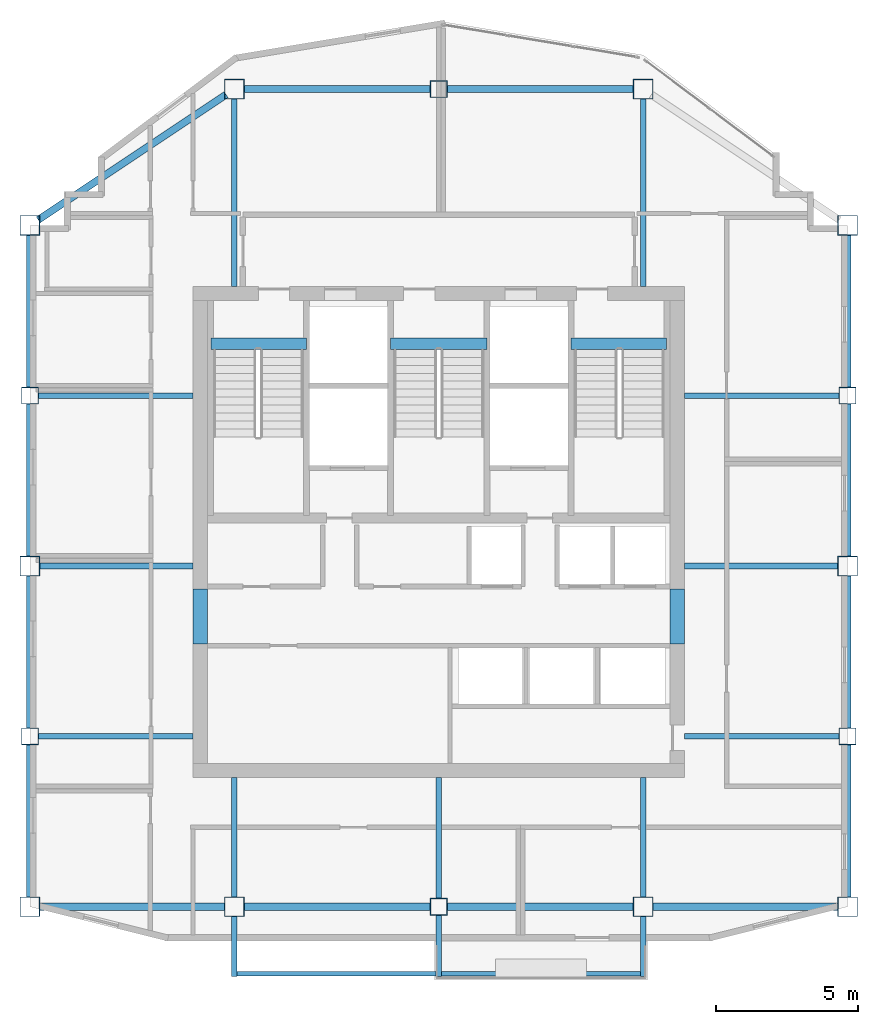
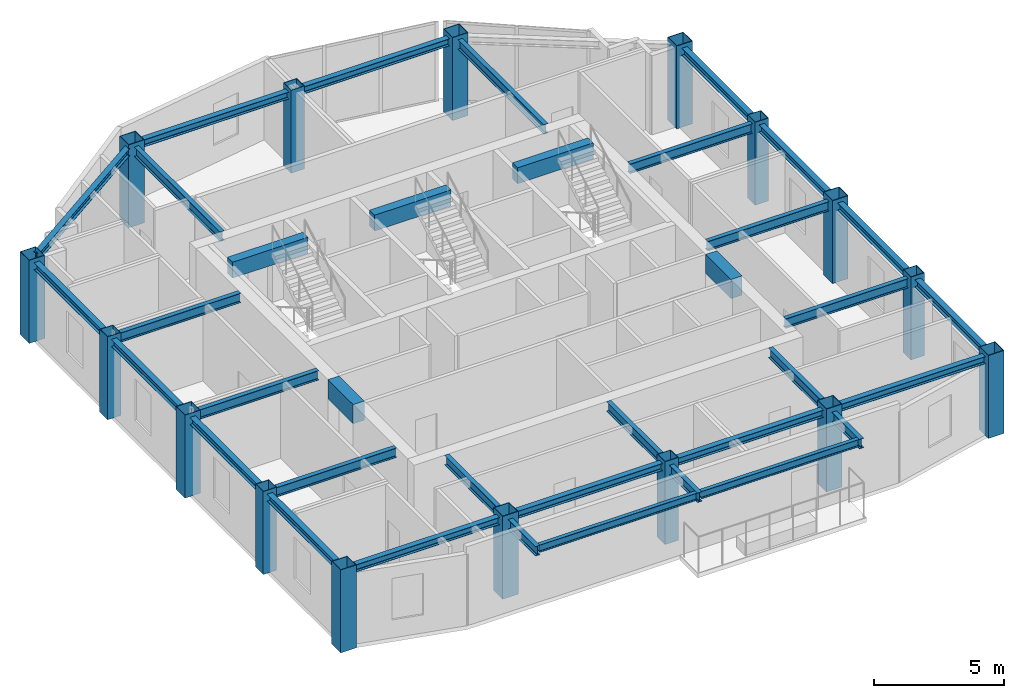
# One storey, part 1 of 8: 36 beams, 16 columns.
"""IFC4 building model written with IfcOpenShell, lengths in metres."""

import ifcopenshell
import ifcopenshell.guid

model = None  # the IFC model being written
_history = None  # IfcOwnerHistory: only IFC2X3 demands one
_inside = {}  # id of a spatial element -> (the spatial element, [elements in it])
_under = {}  # id of a project, library or spatial element -> (it, [spatial elements below it])
_declared = {}  # id of a project -> (the project, [libraries it declares])
_typed = {}  # id of a type object -> (the type object, [elements of that type])
_made_of = {}  # id of a material, layer set ... -> (it, [elements and type objects made of it])


def new_model(schema):
    """Start an empty IFC model of exactly this schema.

    Asked for "IFC4X3", IfcOpenShell would pick the latest addendum, in which some entities
    have other attributes; the version numbers below select the first issue.
    IFC2X3 requires an IfcOwnerHistory on every rooted entity: one is made here for all.
    """
    global model, _history
    if schema == "IFC4X3":
        model = ifcopenshell.file(schema_version=(4, 3, 0, 0))
    else:
        model = ifcopenshell.file(schema=schema)
    _inside.clear()
    _under.clear()
    _declared.clear()
    _typed.clear()
    _made_of.clear()
    _history = None
    if model.schema == "IFC2X3":
        org = make("IfcOrganization", Name="unknown")
        user = make(
            "IfcPersonAndOrganization",
            ThePerson=make("IfcPerson", FamilyName="unknown"),
            TheOrganization=org,
        )
        app = make(
            "IfcApplication",
            ApplicationDeveloper=org,
            Version="unknown",
            ApplicationFullName="unknown",
            ApplicationIdentifier="unknown",
        )
        _history = make(
            "IfcOwnerHistory",
            OwningUser=user,
            OwningApplication=app,
            ChangeAction="ADDED",
            CreationDate=0,
        )
    return model


def make(cls, **values):
    """One entity of the class cls with the attributes given. An attribute that is None is left unset."""
    return model.create_entity(
        cls, **{name: value for name, value in values.items() if value is not None}
    )


def rooted(cls, **values):
    """An entity with a GlobalId (a new one), such as an element, a storey or a relation."""
    return make(cls, GlobalId=ifcopenshell.guid.new(), OwnerHistory=_history, **values)


def si_unit(unit_type, name, prefix=None):
    """IfcSIUnit, for example si_unit("LENGTHUNIT", "METRE", prefix="MILLI")."""
    return make("IfcSIUnit", UnitType=unit_type, Prefix=prefix, Name=name)


def assignment(units):
    """IfcUnitAssignment: the units of a project."""
    return None if units is None else make("IfcUnitAssignment", Units=units)


def point(xyz):
    """IfcCartesianPoint."""
    return None if xyz is None else make("IfcCartesianPoint", Coordinates=xyz)


def direction(xyz):
    """IfcDirection."""
    return None if xyz is None else make("IfcDirection", DirectionRatios=xyz)


def frame(location, z_axis=None, x_axis=None):
    """IfcAxis2Placement3D, a coordinate frame: its origin and axes. An axis left out is left unset."""
    return make(
        "IfcAxis2Placement3D",
        Location=point(location),
        Axis=direction(z_axis),
        RefDirection=direction(x_axis),
    )


def frame_2d(location, x_axis=None):
    """IfcAxis2Placement2D, a coordinate frame in the plane: its origin and x axis."""
    return make(
        "IfcAxis2Placement2D", Location=point(location), RefDirection=direction(x_axis)
    )


def origin():
    """The frame at (0, 0, 0) with its axes left unset."""
    return frame((0.0, 0.0, 0.0))


def origin_2d():
    """The frame at (0, 0) in the plane with its x axis left unset."""
    return frame_2d((0.0, 0.0))


def place(relative_to, where):
    """IfcLocalPlacement: puts the frame where relative to a parent placement (None: the world)."""
    return make(
        "IfcLocalPlacement", PlacementRelTo=relative_to, RelativePlacement=where
    )


def context(
    kind, dimensions, precision=None, world=None, true_north=None, identifier=None
):
    """IfcGeometricRepresentationContext, for example the 3D "Model" context."""
    return make(
        "IfcGeometricRepresentationContext",
        ContextIdentifier=identifier,
        ContextType=kind,
        CoordinateSpaceDimension=dimensions,
        Precision=precision,
        WorldCoordinateSystem=world,
        TrueNorth=true_north,
    )


def subcontext(parent, identifier, kind, view, scale=None):
    """IfcGeometricRepresentationSubContext, for example "Body" below "Model"."""
    return make(
        "IfcGeometricRepresentationSubContext",
        ContextIdentifier=identifier,
        ContextType=kind,
        ParentContext=parent,
        TargetScale=scale,
        TargetView=view,
    )


def project(units=None, contexts=None):
    """IfcProject with its units and contexts."""
    return rooted(
        "IfcProject",
        Name="project",
        RepresentationContexts=contexts,
        UnitsInContext=assignment(units),
    )


def spatial(cls, under=None, at=None, **own):
    """A site, building, storey or space (cls), placed at a placement, below another one or the project."""
    s = rooted(cls, ObjectPlacement=at, **own)
    if under is not None:
        _under.setdefault(under.id(), (under, []))[1].append(s)
    return s


def profile(cls, at=None, kind="AREA", **sizes):
    """A parametric profile (cls). Its sizes go by their IFC names, for example OverallWidth=200.0."""
    return make(cls, ProfileType=kind, Position=at, **sizes)


def rectangle(**sizes):
    """IfcRectangleProfileDef."""
    return profile("IfcRectangleProfileDef", **sizes)


def hollow_rectangle(**sizes):
    """IfcRectangleHollowProfileDef."""
    return profile("IfcRectangleHollowProfileDef", **sizes)


def i_section(**sizes):
    """IfcIShapeProfileDef."""
    return profile("IfcIShapeProfileDef", **sizes)


def extrude(swept, where, along, depth):
    """IfcExtrudedAreaSolid: the profile swept, set in the frame where, extruded along a direction by depth."""
    return make(
        "IfcExtrudedAreaSolid",
        SweptArea=swept,
        Position=where,
        ExtrudedDirection=direction(along),
        Depth=depth,
    )


def shape(context_of_items, identifier, shape_type, items):
    """IfcShapeRepresentation: the items that make up one representation, for example the "Body"."""
    return make(
        "IfcShapeRepresentation",
        ContextOfItems=context_of_items,
        RepresentationIdentifier=identifier,
        RepresentationType=shape_type,
        Items=items,
    )


def material(Name=None, Category=None):
    """IfcMaterial."""
    return make("IfcMaterial", Name=Name, Category=Category)


def material_profile(
    of_material, cross_section, Name=None, Category=None, Priority=None
):
    """IfcMaterialProfile: a cross section and its material."""
    return make(
        "IfcMaterialProfile",
        Name=Name,
        Material=of_material,
        Profile=cross_section,
        Priority=Priority,
        Category=Category,
    )


def profile_set(profiles, Name=None, composite=None):
    """IfcMaterialProfileSet."""
    return make(
        "IfcMaterialProfileSet",
        Name=Name,
        MaterialProfiles=profiles,
        CompositeProfile=composite,
    )


def made_of(thing, what):
    """Note that an element or type object is made of a material, layer set ...; save() writes the relation."""
    if what is not None:
        _made_of.setdefault(what.id(), (what, []))[1].append(thing)
    return thing


def type_object(cls, material=None, **own):
    """A type object (cls), such as IfcWallType, which elements share."""
    return made_of(rooted(cls, **own), material)


def element(
    cls,
    number,
    at=None,
    inside=None,
    cuts=None,
    type_object=None,
    material=None,
    context=None,
    identifier="Body",
    shape_type=None,
    held_by="IfcProductDefinitionShape",
    body=None,
    shapes=None,
    **own,
):
    """One element of the class cls, such as IfcWall. Its Tag is "e" and its number.

    at: its placement. inside: the storey or other place that contains it. cuts: it is an
    opening in that element (IfcRelVoidsElement). A single representation is given by context,
    identifier, shape_type and body (its items); several are given by shapes. held_by: the class
    of the entity that holds the representations. save() writes the other relations.
    """
    e = rooted(cls, Tag="e%d" % number, ObjectPlacement=at, **own)
    if body is not None:
        shapes = [shape(context, identifier, shape_type, body)]
    if shapes is not None:
        e.Representation = make(held_by, Representations=shapes)
    if inside is not None:
        _inside.setdefault(inside.id(), (inside, []))[1].append(e)
    if cuts is not None:
        rooted(
            "IfcRelVoidsElement", RelatingBuildingElement=cuts, RelatedOpeningElement=e
        )
    if type_object is not None:
        _typed.setdefault(type_object.id(), (type_object, []))[1].append(e)
    return made_of(e, material)


def aggregate(whole, parts):
    """IfcRelAggregates: a whole, such as a stair, and the parts it consists of."""
    return rooted("IfcRelAggregates", RelatingObject=whole, RelatedObjects=parts)


def save(model, path):
    """Write the relations noted so far, then the file.

    IfcRelAggregates (storeys below a building ...), IfcRelContainedInSpatialStructure (elements
    in a storey), IfcRelDefinesByType, IfcRelAssociatesMaterial and IfcRelDeclares: one each for
    every whole, place, type object, material and project.
    """
    for whole, parts in _under.values():
        aggregate(whole, parts)
    for where, things in _inside.values():
        rooted(
            "IfcRelContainedInSpatialStructure",
            RelatedElements=things,
            RelatingStructure=where,
        )
    for kind, things in _typed.values():
        rooted("IfcRelDefinesByType", RelatedObjects=things, RelatingType=kind)
    for what, things in _made_of.values():
        rooted("IfcRelAssociatesMaterial", RelatedObjects=things, RelatingMaterial=what)
    for by, libraries in _declared.values():
        rooted("IfcRelDeclares", RelatingContext=by, RelatedDefinitions=libraries)
    model.write(path)


model = new_model("IFC4")

# Units and contexts
model_context = context("Model", 3, precision=1e-05, world=origin(), true_north=direction((0.0, 1.0)))
body_context = subcontext(model_context, "Body", "Model", "MODEL_VIEW")
ifc_project = project(units=[si_unit("LENGTHUNIT", "METRE"), si_unit("AREAUNIT", "SQUARE_METRE"), si_unit("VOLUMEUNIT", "CUBIC_METRE"), si_unit("PLANEANGLEUNIT", "RADIAN"), si_unit("MASSUNIT", "GRAM", prefix="KILO")], contexts=[model_context])

# Site, building, storey
site_placement = place(None, origin())
site = spatial("IfcSite", under=ifc_project, at=site_placement, CompositionType="ELEMENT")
building_placement = place(site_placement, origin())
building = spatial("IfcBuilding", under=site, at=building_placement, Name="Haolan Belvedere Tower", CompositionType="ELEMENT")
storey_placement = place(building_placement, frame((0.0, 0.0, 305.60009765625)))
storey = spatial("IfcBuildingStorey", under=building, at=storey_placement, Name="L77", CompositionType="ELEMENT", Elevation=305.60009765625)

# Columns
ifc_material_1 = material(Name="Steel Q390GJC", Category="steel")
ifc_material_profile_1 = material_profile(ifc_material_1, hollow_rectangle(XDim=0.60009765625, YDim=0.60009765625, WallThickness=0.02392578125, at=origin_2d()), Name="Steel Q390GJC")
ifc_profile_set_1 = profile_set([ifc_material_profile_1], Name="Steel Q390GJC")
column_type_1 = type_object("IfcColumnType", Name="COL-BOX600x600x24", PredefinedType="COLUMN", material=ifc_profile_set_1)
for number, where, z_axis, x_axis, name in (
    (1, (24.0, 27.60009765625, 0.0), (0.0, 0.0, 1.0), (1.0, 0.0, 0.0), "L77 column TC-T3-W1 (BOX600x600x24)"),
    (2, (24.0, 39.60009765625, 0.0), (0.0, 0.0, 1.0), (1.0, 0.0, 0.0), "L77 column TC-T3-W2 (BOX600x600x24)"),
    (3, (52.800048828125, 27.60009765625, 0.0), (0.0, 0.0, 1.0), (1.0, 0.0, 0.0), "L77 column TC-T3-E1 (BOX600x600x24)"),
    (4, (52.800048828125, 39.60009765625, 0.0), (0.0, 0.0, 1.0), (1.0, 0.0, 0.0), "L77 column TC-T3-E2 (BOX600x600x24)"),
    (5, (38.39990234375, 21.60009765625, 0.0), (0.0, 0.0, 1.0), (1.0, 0.0, 0.0), "L77 column TC-T3-SM (BOX600x600x24)"),
    (6, (38.39990234375, 50.39990234375, 0.0), (0.0, 0.0, 1.0), (1.0, 0.0, 0.0), "L77 column TC-T3-NM (BOX600x600x24)"),
):
    element("IfcColumn", number, at=place(storey_placement, frame(where, z_axis=z_axis, x_axis=x_axis)), inside=storey, type_object=column_type_1, Name=name, PredefinedType="COLUMN", context=body_context, shape_type="SweptSolid", body=[
        extrude(hollow_rectangle(XDim=0.60009765625, YDim=0.60009765625, WallThickness=0.02392578125, at=origin_2d()), origin(), (0.0, 0.0, 1.0), 3.89990234375),
    ])
ifc_material_profile_2 = material_profile(ifc_material_1, hollow_rectangle(XDim=0.699951171875, YDim=0.699951171875, WallThickness=0.02587890625, at=origin_2d()), Name="Steel Q390GJC")
ifc_profile_set_2 = profile_set([ifc_material_profile_2], Name="Steel Q390GJC")
column_type_2 = type_object("IfcColumnType", Name="COL-BOX700x700x26", PredefinedType="COLUMN", material=ifc_profile_set_2)
for number, where, z_axis, x_axis, name in (
    (7, (24.0, 21.60009765625, 0.0), (0.0, 0.0, 1.0), (1.0, 0.0, 0.0), "L77 column MC-T3-SW (BOX700x700x26)"),
    (8, (24.0, 33.60009765625, 0.0), (0.0, 0.0, 1.0), (1.0, 0.0, 0.0), "L77 column MC-T3-MW (BOX700x700x26)"),
    (9, (24.0, 45.60009765625, 0.0), (0.0, 0.0, 1.0), (1.0, 0.0, 0.0), "L77 column MC-T3-NW (BOX700x700x26)"),
    (10, (52.800048828125, 21.60009765625, 0.0), (0.0, 0.0, 1.0), (1.0, 0.0, 0.0), "L77 column MC-T3-SE (BOX700x700x26)"),
    (11, (52.800048828125, 33.60009765625, 0.0), (0.0, 0.0, 1.0), (1.0, 0.0, 0.0), "L77 column MC-T3-ME (BOX700x700x26)"),
    (12, (52.800048828125, 45.60009765625, 0.0), (0.0, 0.0, 1.0), (1.0, 0.0, 0.0), "L77 column MC-T3-NE (BOX700x700x26)"),
    (13, (31.199951171875, 21.60009765625, 0.0), (0.0, 0.0, 1.0), (1.0, 0.0, 0.0), "L77 column MC-T3-S1 (BOX700x700x26)"),
    (14, (45.60009765625, 21.60009765625, 0.0), (0.0, 0.0, 1.0), (1.0, 0.0, 0.0), "L77 column MC-T3-S2 (BOX700x700x26)"),
    (15, (31.199951171875, 50.39990234375, 0.0), (0.0, 0.0, 1.0), (1.0, 0.0, 0.0), "L77 column MC-T3-N1 (BOX700x700x26)"),
    (16, (45.60009765625, 50.39990234375, 0.0), (0.0, 0.0, 1.0), (1.0, 0.0, 0.0), "L77 column MC-T3-N2 (BOX700x700x26)"),
):
    element("IfcColumn", number, at=place(storey_placement, frame(where, z_axis=z_axis, x_axis=x_axis)), inside=storey, type_object=column_type_2, Name=name, PredefinedType="COLUMN", context=body_context, shape_type="SweptSolid", body=[
        extrude(hollow_rectangle(XDim=0.699951171875, YDim=0.699951171875, WallThickness=0.02587890625, at=origin_2d()), origin(), (0.0, 0.0, 1.0), 3.89990234375),
    ])

# Beams
ifc_material_2 = material(Name="Steel Q355B", Category="steel")
ifc_material_profile_3 = material_profile(ifc_material_2, i_section(OverallWidth=0.25, OverallDepth=0.340087890625, WebThickness=0.009033203125, FlangeThickness=0.013916015625, FilletRadius=0.02001953125, at=origin_2d()), Name="Steel Q355B")
ifc_profile_set_3 = profile_set([ifc_material_profile_3], Name="Steel Q355B")
beam_type_1 = type_object("IfcBeamType", Name="BM-HM340x250x9x14", PredefinedType="SPANDREL", material=ifc_profile_set_3)
for number, where, z_axis, x_axis, name in (
    (17, (24.0, 21.949951171875, 3.5498046875), (0.0, 1.0, 0.0), (-1.0, 0.0, 0.0), "L77 spandrel girder MC-T3-SW-TC-T3-W1"),
    (18, (24.0, 27.89990234375, 3.5498046875), (0.0, 1.0, 0.0), (-1.0, 0.0, 0.0), "L77 spandrel girder TC-T3-W1-MC-T3-MW"),
    (19, (24.0, 33.949951171875, 3.5498046875), (0.0, 1.0, 0.0), (-1.0, 0.0, 0.0), "L77 spandrel girder MC-T3-MW-TC-T3-W2"),
    (20, (24.0, 39.89990234375, 3.5498046875), (0.0, 1.0, 0.0), (-1.0, 0.0, 0.0), "L77 spandrel girder TC-T3-W2-MC-T3-NW"),
    (21, (52.800048828125, 21.949951171875, 3.5498046875), (0.0, 1.0, 0.0), (-1.0, 0.0, 0.0), "L77 spandrel girder MC-T3-SE-TC-T3-E1"),
    (22, (52.800048828125, 27.89990234375, 3.5498046875), (0.0, 1.0, 0.0), (-1.0, 0.0, 0.0), "L77 spandrel girder TC-T3-E1-MC-T3-ME"),
    (23, (52.800048828125, 33.949951171875, 3.5498046875), (0.0, 1.0, 0.0), (-1.0, 0.0, 0.0), "L77 spandrel girder MC-T3-ME-TC-T3-E2"),
    (24, (52.800048828125, 39.89990234375, 3.5498046875), (0.0, 1.0, 0.0), (-1.0, 0.0, 0.0), "L77 spandrel girder TC-T3-E2-MC-T3-NE"),
):
    element("IfcBeam", number, at=place(storey_placement, frame(where, z_axis=z_axis, x_axis=x_axis)), inside=storey, type_object=beam_type_1, Name=name, PredefinedType="SPANDREL", context=body_context, shape_type="SweptSolid", body=[
        extrude(i_section(OverallWidth=0.25, OverallDepth=0.340087890625, WebThickness=0.009033203125, FlangeThickness=0.013916015625, FilletRadius=0.02001953125, at=origin_2d()), origin(), (0.0, 0.0, 1.0), 5.35009765625),
    ])
beam_1_placement = place(storey_placement, frame((24.35009765625, 21.60009765625, 3.5498046875), z_axis=(1.0, 0.0, 0.0), x_axis=(0.0, 1.0, 0.0)))
element("IfcBeam", 25, at=beam_1_placement, inside=storey, type_object=beam_type_1, Name="L77 spandrel girder MC-T3-SW-MC-T3-S1", PredefinedType="SPANDREL", context=body_context, shape_type="SweptSolid", body=[
    extrude(i_section(OverallWidth=0.25, OverallDepth=0.340087890625, WebThickness=0.009033203125, FlangeThickness=0.013916015625, FilletRadius=0.02001953125, at=origin_2d()), origin(), (0.0, 0.0, 1.0), 6.5),
])
for number, where, z_axis, x_axis, name in (
    (26, (31.550048828125, 21.60009765625, 3.5498046875), (1.0, 0.0, 0.0), (0.0, 1.0, 0.0), "L77 spandrel girder MC-T3-S1-TC-T3-SM"),
    (27, (38.699951171875, 21.60009765625, 3.5498046875), (1.0, 0.0, 0.0), (0.0, 1.0, 0.0), "L77 spandrel girder TC-T3-SM-MC-T3-S2"),
):
    element("IfcBeam", number, at=place(storey_placement, frame(where, z_axis=z_axis, x_axis=x_axis)), inside=storey, type_object=beam_type_1, Name=name, PredefinedType="SPANDREL", context=body_context, shape_type="SweptSolid", body=[
        extrude(i_section(OverallWidth=0.25, OverallDepth=0.340087890625, WebThickness=0.009033203125, FlangeThickness=0.013916015625, FilletRadius=0.02001953125, at=origin_2d()), origin(), (0.0, 0.0, 1.0), 6.550048828125),
    ])
beam_2_placement = place(storey_placement, frame((45.949951171875, 21.60009765625, 3.5498046875), z_axis=(1.0, 0.0, 0.0), x_axis=(0.0, 1.0, 0.0)))
element("IfcBeam", 28, at=beam_2_placement, inside=storey, type_object=beam_type_1, Name="L77 spandrel girder MC-T3-S2-MC-T3-SE", PredefinedType="SPANDREL", context=body_context, shape_type="SweptSolid", body=[
    extrude(i_section(OverallWidth=0.25, OverallDepth=0.340087890625, WebThickness=0.009033203125, FlangeThickness=0.013916015625, FilletRadius=0.02001953125, at=origin_2d()), origin(), (0.0, 0.0, 1.0), 6.5),
])
beam_3_placement = place(storey_placement, frame((24.291259765625, 45.794189453125, 3.5498046875), z_axis=(0.832050294338, 0.554700196225, 0.0), x_axis=(-0.554700196225, 0.832050294338, 0.0)))
element("IfcBeam", 29, at=beam_3_placement, inside=storey, type_object=beam_type_1, Name="L77 spandrel girder MC-T3-NW-MC-T3-N1", PredefinedType="SPANDREL", context=body_context, shape_type="SweptSolid", body=[
    extrude(i_section(OverallWidth=0.25, OverallDepth=0.340087890625, WebThickness=0.009033203125, FlangeThickness=0.013916015625, FilletRadius=0.02001953125, at=origin_2d()), origin(), (0.0, 0.0, 1.0), 7.953125),
])
for number, where, z_axis, x_axis, name in (
    (30, (31.550048828125, 50.39990234375, 3.5498046875), (1.0, 0.0, 0.0), (0.0, 1.0, 0.0), "L77 spandrel girder MC-T3-N1-TC-T3-NM"),
    (31, (38.699951171875, 50.39990234375, 3.5498046875), (1.0, 0.0, 0.0), (0.0, 1.0, 0.0), "L77 spandrel girder TC-T3-NM-MC-T3-N2"),
):
    element("IfcBeam", number, at=place(storey_placement, frame(where, z_axis=z_axis, x_axis=x_axis)), inside=storey, type_object=beam_type_1, Name=name, PredefinedType="SPANDREL", context=body_context, shape_type="SweptSolid", body=[
        extrude(i_section(OverallWidth=0.25, OverallDepth=0.340087890625, WebThickness=0.009033203125, FlangeThickness=0.013916015625, FilletRadius=0.02001953125, at=origin_2d()), origin(), (0.0, 0.0, 1.0), 6.550048828125),
    ])
ifc_material_profile_4 = material_profile(ifc_material_2, i_section(OverallWidth=0.175048828125, OverallDepth=0.35009765625, WebThickness=0.007080078125, FlangeThickness=0.010986328125, FilletRadius=0.012939453125, at=origin_2d()), Name="Steel Q355B")
ifc_profile_set_4 = profile_set([ifc_material_profile_4], Name="Steel Q355B")
beam_type_2 = type_object("IfcBeamType", Name="BM-HN350x175x7x11", PredefinedType="JOIST", material=ifc_profile_set_4)
for number, where, z_axis, x_axis, name in (
    (32, (31.300048828125, 19.239990234375, 3.494873046875), (1.0, 0.0, 0.0), (0.0, 1.0, 0.0), "L78 tree-balcony front trimmer beam 1"),
    (33, (38.5, 19.239990234375, 3.494873046875), (1.0, 0.0, 0.0), (0.0, 1.0, 0.0), "L78 tree-balcony front trimmer beam 2"),
):
    element("IfcBeam", number, at=place(storey_placement, frame(where, z_axis=z_axis, x_axis=x_axis)), inside=storey, type_object=beam_type_2, Name=name, PredefinedType="BEAM", context=body_context, shape_type="SweptSolid", body=[
        extrude(i_section(OverallWidth=0.175048828125, OverallDepth=0.35009765625, WebThickness=0.007080078125, FlangeThickness=0.010986328125, FilletRadius=0.012939453125, at=origin_2d()), origin(), (0.0, 0.0, 1.0), 7.0),
    ])
ifc_material_profile_5 = material_profile(ifc_material_2, i_section(OverallWidth=0.199951171875, OverallDepth=0.449951171875, WebThickness=0.009033203125, FlangeThickness=0.013916015625, FilletRadius=0.01611328125, at=origin_2d()), Name="Steel Q355B")
ifc_profile_set_5 = profile_set([ifc_material_profile_5], Name="Steel Q355B")
beam_type_3 = type_object("IfcBeamType", Name="BM-HN450x200x9x14", PredefinedType="BEAM", material=ifc_profile_set_5)
beam_4_placement = place(storey_placement, frame((24.35009765625, 33.60009765625, 3.494873046875), z_axis=(1.0, 0.0, 0.0), x_axis=(0.0, 1.0, 0.0)))
element("IfcBeam", 34, at=beam_4_placement, inside=storey, type_object=beam_type_3, Name="L77 core tie beam from MC-T3-MW", PredefinedType="BEAM", context=body_context, shape_type="SweptSolid", body=[
    extrude(i_section(OverallWidth=0.199951171875, OverallDepth=0.449951171875, WebThickness=0.009033203125, FlangeThickness=0.013916015625, FilletRadius=0.01611328125, at=origin_2d()), origin(), (0.0, 0.0, 1.0), 5.39990234375),
])
for number, where, z_axis, x_axis, name in (
    (35, (24.300048828125, 27.60009765625, 3.494873046875), (1.0, 0.0, 0.0), (0.0, 1.0, 0.0), "L77 core tie beam from TC-T3-W1"),
    (36, (24.300048828125, 39.60009765625, 3.494873046875), (1.0, 0.0, 0.0), (0.0, 1.0, 0.0), "L77 core tie beam from TC-T3-W2"),
):
    element("IfcBeam", number, at=place(storey_placement, frame(where, z_axis=z_axis, x_axis=x_axis)), inside=storey, type_object=beam_type_3, Name=name, PredefinedType="BEAM", context=body_context, shape_type="SweptSolid", body=[
        extrude(i_section(OverallWidth=0.199951171875, OverallDepth=0.449951171875, WebThickness=0.009033203125, FlangeThickness=0.013916015625, FilletRadius=0.01611328125, at=origin_2d()), origin(), (0.0, 0.0, 1.0), 5.449951171875),
    ])
beam_5_placement = place(storey_placement, frame((52.449951171875, 33.60009765625, 3.494873046875), z_axis=(-1.0, 0.0, 0.0), x_axis=(0.0, -1.0, 0.0)))
element("IfcBeam", 37, at=beam_5_placement, inside=storey, type_object=beam_type_3, Name="L77 core tie beam from MC-T3-ME", PredefinedType="BEAM", context=body_context, shape_type="SweptSolid", body=[
    extrude(i_section(OverallWidth=0.199951171875, OverallDepth=0.449951171875, WebThickness=0.009033203125, FlangeThickness=0.013916015625, FilletRadius=0.01611328125, at=origin_2d()), origin(), (0.0, 0.0, 1.0), 5.39990234375),
])
for number, where, z_axis, x_axis, name in (
    (38, (52.5, 27.60009765625, 3.494873046875), (-1.0, 0.0, 0.0), (0.0, -1.0, 0.0), "L77 core tie beam from TC-T3-E1"),
    (39, (52.5, 39.60009765625, 3.494873046875), (-1.0, 0.0, 0.0), (0.0, -1.0, 0.0), "L77 core tie beam from TC-T3-E2"),
):
    element("IfcBeam", number, at=place(storey_placement, frame(where, z_axis=z_axis, x_axis=x_axis)), inside=storey, type_object=beam_type_3, Name=name, PredefinedType="BEAM", context=body_context, shape_type="SweptSolid", body=[
        extrude(i_section(OverallWidth=0.199951171875, OverallDepth=0.449951171875, WebThickness=0.009033203125, FlangeThickness=0.013916015625, FilletRadius=0.01611328125, at=origin_2d()), origin(), (0.0, 0.0, 1.0), 5.449951171875),
    ])
beam_6_placement = place(storey_placement, frame((31.199951171875, 21.949951171875, 3.494873046875), z_axis=(0.0, 1.0, 0.0), x_axis=(-1.0, 0.0, 0.0)))
element("IfcBeam", 40, at=beam_6_placement, inside=storey, type_object=beam_type_3, Name="L77 core tie beam from MC-T3-S1", PredefinedType="BEAM", context=body_context, shape_type="SweptSolid", body=[
    extrude(i_section(OverallWidth=0.199951171875, OverallDepth=0.449951171875, WebThickness=0.009033203125, FlangeThickness=0.013916015625, FilletRadius=0.01611328125, at=origin_2d()), origin(), (0.0, 0.0, 1.0), 4.199951171875),
])
beam_7_placement = place(storey_placement, frame((38.39990234375, 21.89990234375, 3.494873046875), z_axis=(0.0, 1.0, 0.0), x_axis=(-1.0, 0.0, 0.0)))
element("IfcBeam", 41, at=beam_7_placement, inside=storey, type_object=beam_type_3, Name="L77 core tie beam from TC-T3-SM", PredefinedType="BEAM", context=body_context, shape_type="SweptSolid", body=[
    extrude(i_section(OverallWidth=0.199951171875, OverallDepth=0.449951171875, WebThickness=0.009033203125, FlangeThickness=0.013916015625, FilletRadius=0.01611328125, at=origin_2d()), origin(), (0.0, 0.0, 1.0), 4.25),
])
beam_8_placement = place(storey_placement, frame((45.60009765625, 21.949951171875, 3.494873046875), z_axis=(0.0, 1.0, 0.0), x_axis=(-1.0, 0.0, 0.0)))
element("IfcBeam", 42, at=beam_8_placement, inside=storey, type_object=beam_type_3, Name="L77 core tie beam from MC-T3-S2", PredefinedType="BEAM", context=body_context, shape_type="SweptSolid", body=[
    extrude(i_section(OverallWidth=0.199951171875, OverallDepth=0.449951171875, WebThickness=0.009033203125, FlangeThickness=0.013916015625, FilletRadius=0.01611328125, at=origin_2d()), origin(), (0.0, 0.0, 1.0), 4.199951171875),
])
for number, where, z_axis, x_axis, name in (
    (43, (31.199951171875, 50.050048828125, 3.494873046875), (0.0, -1.0, 0.0), (1.0, 0.0, 0.0), "L77 core tie beam from MC-T3-N1"),
    (44, (45.60009765625, 50.050048828125, 3.494873046875), (0.0, -1.0, 0.0), (1.0, 0.0, 0.0), "L77 core tie beam from MC-T3-N2"),
):
    element("IfcBeam", number, at=place(storey_placement, frame(where, z_axis=z_axis, x_axis=x_axis)), inside=storey, type_object=beam_type_3, Name=name, PredefinedType="BEAM", context=body_context, shape_type="SweptSolid", body=[
        extrude(i_section(OverallWidth=0.199951171875, OverallDepth=0.449951171875, WebThickness=0.009033203125, FlangeThickness=0.013916015625, FilletRadius=0.01611328125, at=origin_2d()), origin(), (0.0, 0.0, 1.0), 6.60009765625),
    ])
beam_9_placement = place(storey_placement, frame((31.199951171875, 21.25, 3.44482421875), z_axis=(0.0, -1.0, 0.0), x_axis=(1.0, 0.0, 0.0)))
element("IfcBeam", 45, at=beam_9_placement, inside=storey, type_object=beam_type_3, Name="L78 tree-balcony column cantilever MC-T3-S1", PredefinedType="BEAM", context=body_context, shape_type="SweptSolid", body=[
    extrude(i_section(OverallWidth=0.199951171875, OverallDepth=0.449951171875, WebThickness=0.009033203125, FlangeThickness=0.013916015625, FilletRadius=0.01611328125, at=origin_2d()), origin(), (0.0, 0.0, 1.0), 2.110107421875),
])
beam_10_placement = place(storey_placement, frame((38.39990234375, 21.300048828125, 3.44482421875), z_axis=(0.0, -1.0, 0.0), x_axis=(1.0, 0.0, 0.0)))
element("IfcBeam", 46, at=beam_10_placement, inside=storey, type_object=beam_type_3, Name="L78 tree-balcony column cantilever TC-T3-SM", PredefinedType="BEAM", context=body_context, shape_type="SweptSolid", body=[
    extrude(i_section(OverallWidth=0.199951171875, OverallDepth=0.449951171875, WebThickness=0.009033203125, FlangeThickness=0.013916015625, FilletRadius=0.01611328125, at=origin_2d()), origin(), (0.0, 0.0, 1.0), 2.16015625),
])
beam_11_placement = place(storey_placement, frame((45.60009765625, 21.25, 3.44482421875), z_axis=(0.0, -1.0, 0.0), x_axis=(1.0, 0.0, 0.0)))
element("IfcBeam", 47, at=beam_11_placement, inside=storey, type_object=beam_type_3, Name="L78 tree-balcony column cantilever MC-T3-S2", PredefinedType="BEAM", context=body_context, shape_type="SweptSolid", body=[
    extrude(i_section(OverallWidth=0.199951171875, OverallDepth=0.449951171875, WebThickness=0.009033203125, FlangeThickness=0.013916015625, FilletRadius=0.01611328125, at=origin_2d()), origin(), (0.0, 0.0, 1.0), 2.110107421875),
])
ifc_material_3 = material(Name="Concrete C50/60", Category="concrete")
ifc_material_profile_6 = material_profile(ifc_material_3, rectangle(XDim=0.39990234375, YDim=0.75, at=origin_2d()), Name="Concrete C50/60")
ifc_profile_set_6 = profile_set([ifc_material_profile_6], Name="Concrete C50/60")
beam_type_4 = type_object("IfcBeamType", Name="BM-RC400x750", PredefinedType="T_BEAM", material=ifc_profile_set_6)
beam_12_placement = place(storey_placement, frame((30.3798828125, 41.429931640625, 3.52490234375), z_axis=(1.0, 0.0, 0.0), x_axis=(0.0, 1.0, 0.0)))
element("IfcBeam", 48, at=beam_12_placement, inside=storey, type_object=beam_type_4, Name="L78 stair ST1 RC header trimmer beam", PredefinedType="BEAM", context=body_context, shape_type="SweptSolid", body=[
    extrude(rectangle(XDim=0.39990234375, YDim=0.75, at=origin_2d()), origin(), (0.0, 0.0, 1.0), 3.360107421875),
])
beam_13_placement = place(storey_placement, frame((36.699951171875, 41.429931640625, 3.52490234375), z_axis=(1.0, 0.0, 0.0), x_axis=(0.0, 1.0, 0.0)))
element("IfcBeam", 49, at=beam_13_placement, inside=storey, type_object=beam_type_4, Name="L78 stair ST3 RC header trimmer beam", PredefinedType="BEAM", context=body_context, shape_type="SweptSolid", body=[
    extrude(rectangle(XDim=0.39990234375, YDim=0.75, at=origin_2d()), origin(), (0.0, 0.0, 1.0), 3.400146484375),
])
beam_14_placement = place(storey_placement, frame((43.06005859375, 41.429931640625, 3.52490234375), z_axis=(1.0, 0.0, 0.0), x_axis=(0.0, 1.0, 0.0)))
element("IfcBeam", 50, at=beam_14_placement, inside=storey, type_object=beam_type_4, Name="L78 stair ST2 RC header trimmer beam", PredefinedType="BEAM", context=body_context, shape_type="SweptSolid", body=[
    extrude(rectangle(XDim=0.39990234375, YDim=0.75, at=origin_2d()), origin(), (0.0, 0.0, 1.0), 3.35986328125),
])
ifc_material_4 = material(Name="Concrete C60/75", Category="concrete")
ifc_material_profile_7 = material_profile(ifc_material_4, rectangle(XDim=0.5, YDim=0.89990234375, at=origin_2d()), Name="Concrete C60/75")
ifc_profile_set_7 = profile_set([ifc_material_profile_7], Name="Concrete C60/75")
beam_type_5 = type_object("IfcBeamType", Name="BM-RC500x900", PredefinedType="LINTEL", material=ifc_profile_set_7)
for number, where, z_axis, x_axis, name in (
    (51, (30.0, 30.85009765625, 3.27001953125), (0.0, 1.0, 0.0), (-1.0, 0.0, 0.0), "L77 west core coupling beam CB-01"),
    (52, (46.800048828125, 30.85009765625, 3.27001953125), (0.0, 1.0, 0.0), (-1.0, 0.0, 0.0), "L77 east core coupling beam CB-01"),
):
    element("IfcBeam", number, at=place(storey_placement, frame(where, z_axis=z_axis, x_axis=x_axis)), inside=storey, type_object=beam_type_5, Name=name, PredefinedType="LINTEL", context=body_context, shape_type="SweptSolid", body=[
        extrude(rectangle(XDim=0.5, YDim=0.89990234375, at=origin_2d()), origin(), (0.0, 0.0, 1.0), 1.949951171875),
    ])

save(model, "model.ifc")
